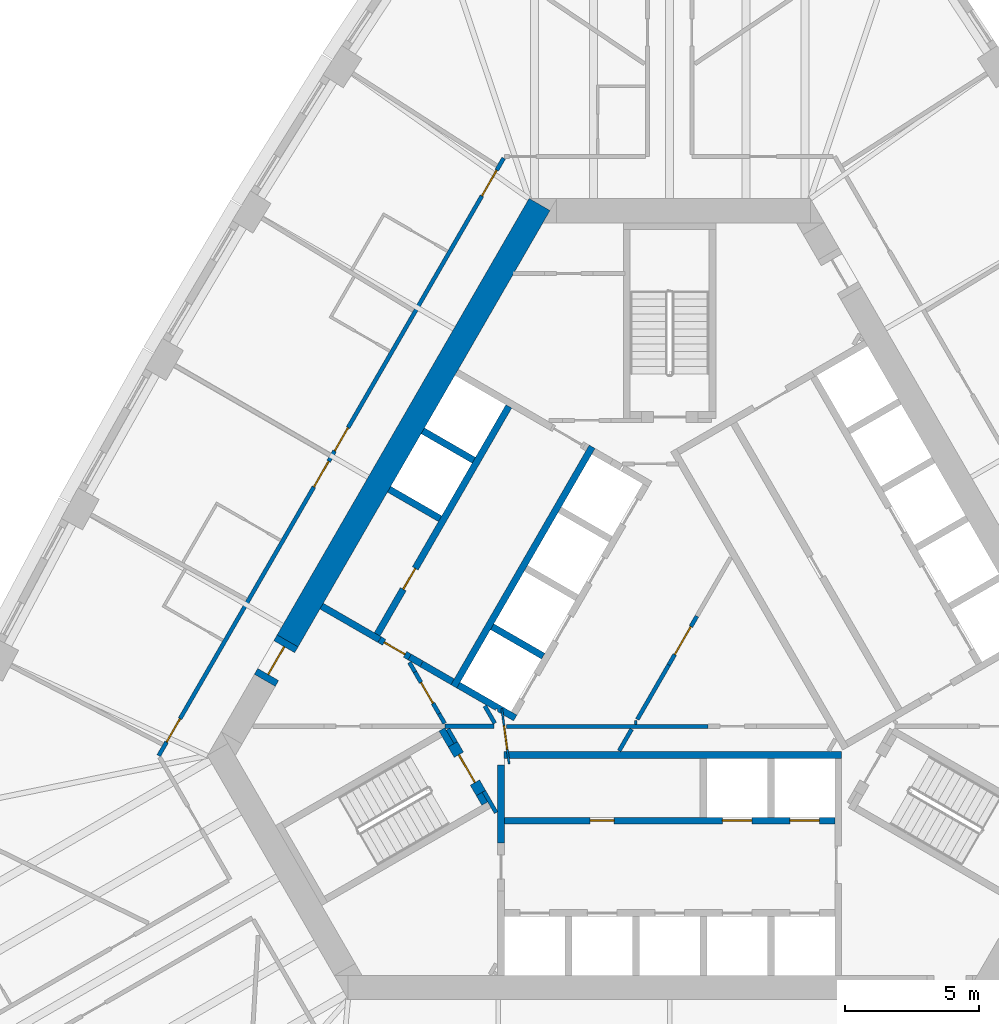
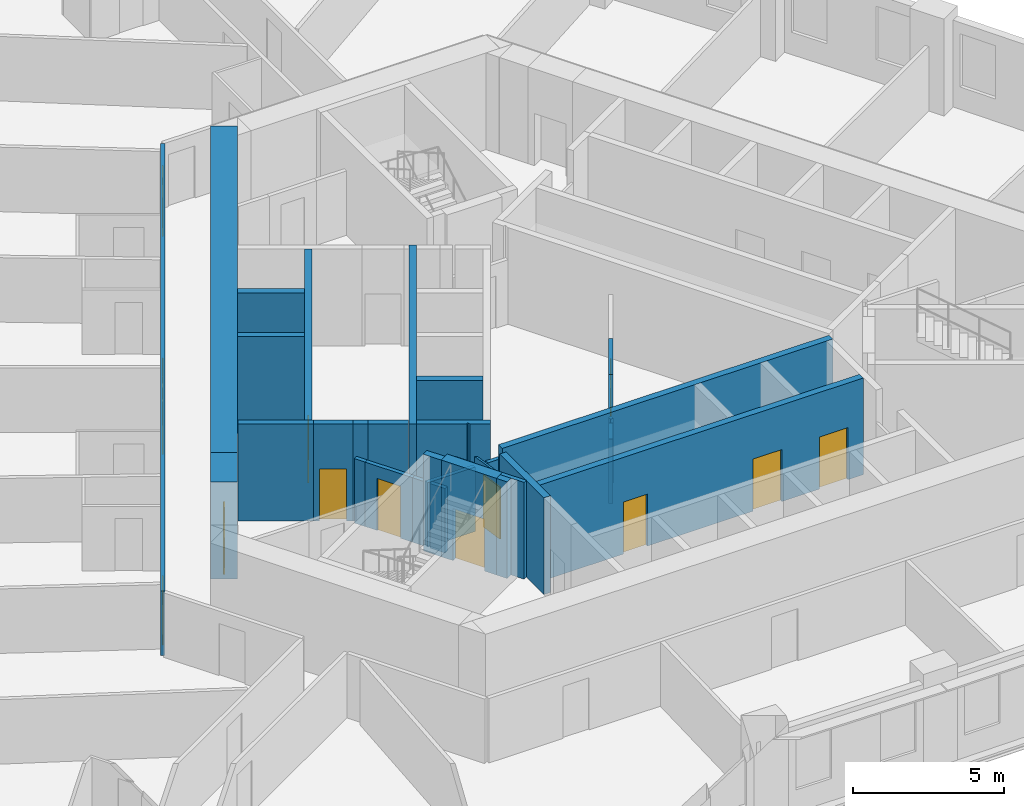
# One storey, part 5 of 12: 32 walls, 14 doors, 14 openings.
"""IFC4 building model written with IfcOpenShell, lengths in metres."""

from ifc_helpers import new_model, si_unit, direction, frame, frame_2d, origin, place, context, subcontext, project, spatial, polyline, rectangle, outline, extrude, material, layer, layer_set, type_object, element, fill, save


model = new_model("IFC4")

# Units and contexts
model_context = context("Model", 3, precision=1e-05, world=origin(), true_north=direction((0.0, 1.0)))
body_context = subcontext(model_context, "Body", "Model", "MODEL_VIEW")
ifc_project = project(units=[si_unit("LENGTHUNIT", "METRE"), si_unit("AREAUNIT", "SQUARE_METRE"), si_unit("VOLUMEUNIT", "CUBIC_METRE"), si_unit("PLANEANGLEUNIT", "RADIAN"), si_unit("MASSUNIT", "GRAM", prefix="KILO")], contexts=[model_context])

# Site, building, storey
site_placement = place(None, origin())
site = spatial("IfcSite", under=ifc_project, at=site_placement, CompositionType="ELEMENT")
building_placement = place(site_placement, origin())
building = spatial("IfcBuilding", under=site, at=building_placement, Name="Mestral Congress Tower", CompositionType="ELEMENT")
storey_placement = place(building_placement, frame((0.0, 0.0, 130.5)))
storey = spatial("IfcBuildingStorey", under=building, at=storey_placement, Name="L31", CompositionType="ELEMENT", Elevation=130.5)

# Walls
ifc_material_1 = material(Name="Fire-rated board partition")
ifc_layer_1 = layer(ifc_material_1, 0.14990234375)
ifc_layer_set_1 = layer_set([ifc_layer_1], Name="Fire-rated board partition")
wall_type_1 = type_object("IfcWallType", Name="Core partition 150", PredefinedType="PARTITIONING", material=ifc_layer_set_1)
wall_1_placement = place(storey_placement, frame((-8.394775390625, -2.800048828125, 0.0), z_axis=(0.0, 0.0, 1.0), x_axis=(1.0, 0.0, 0.0)))
element("IfcWall", 1, at=wall_1_placement, inside=storey, type_object=wall_type_1, Name="L31 core wall", PredefinedType="PARTITIONING", context=body_context, shape_type="SweptSolid", body=[
    extrude(rectangle(XDim=1.828125, YDim=0.14990234375, at=frame_2d((0.9140625, 0.0))), origin(), (0.0, 0.0, 1.0), 2.60009765625),
])
wall_2_placement = place(storey_placement, frame((-6.53076171875, -2.68896484375, 0.0), z_axis=(0.0, 0.0, 1.0), x_axis=(-0.499967446111, 0.866044197965, 0.0)))
element("IfcWall", 2, at=wall_2_placement, inside=storey, type_object=wall_type_1, Name="L31 core wall", PredefinedType="PARTITIONING", context=body_context, shape_type="SweptSolid", body=[
    extrude(rectangle(XDim=0.74755859375, YDim=0.14990234375, at=frame_2d((0.373779296875, 0.0))), origin(), (0.0, 0.0, 1.0), 2.60009765625),
])
wall_3_placement = place(storey_placement, frame((-7.989990234375, -3.41162109375, 0.0), z_axis=(0.0, 0.0, 1.0), x_axis=(-0.500193841991, 0.86591346013, 0.0)))
element("IfcWall", 3, at=wall_3_placement, inside=storey, type_object=wall_type_1, Name="L31 core wall", PredefinedType="PARTITIONING", context=body_context, shape_type="SweptSolid", body=[
    extrude(rectangle(XDim=0.582763671875, YDim=0.14990234375, at=frame_2d((0.29150390625, 0.0))), origin(), (0.0, 0.0, 1.0), 2.60009765625),
])
wall_4_placement = place(storey_placement, frame((-8.612060546875, -2.33349609375, 0.0), z_axis=(0.0, 0.0, 1.0), x_axis=(0.500248216681, -0.86588204838, 0.0)))
element("IfcWall", 4, at=wall_4_placement, inside=storey, type_object=wall_type_1, Name="L31 core wall", PredefinedType="PARTITIONING", context=body_context, shape_type="SweptSolid", body=[
    extrude(rectangle(XDim=0.415283203125, YDim=0.14990234375, at=frame_2d((0.20751953125, 0.0))), origin(), (0.0, 0.0, 1.0), 2.60009765625),
])
wall_5_placement = place(storey_placement, frame((-6.086181640625, -2.801025390625, 0.0), z_axis=(0.0, 0.0, 1.0), x_axis=(1.0, 0.0, 0.0)))
element("IfcWall", 5, at=wall_5_placement, inside=storey, type_object=wall_type_1, Name="L31 core wall", PredefinedType="PARTITIONING", context=body_context, shape_type="SweptSolid", body=[
    extrude(rectangle(XDim=7.5244140625, YDim=0.14990234375, at=frame_2d((3.76220703125, 0.0))), origin(), (0.0, 0.0, 1.0), 2.60009765625),
])
wall_6_placement = place(storey_placement, frame((-1.886962890625, -3.71826171875, 0.0), z_axis=(0.0, 0.0, 1.0), x_axis=(0.499842898591, 0.866116087328, 0.0)))
element("IfcWall", 6, at=wall_6_placement, inside=storey, type_object=wall_type_1, Name="L31 core wall", PredefinedType="PARTITIONING", context=body_context, shape_type="SweptSolid", body=[
    extrude(rectangle(XDim=0.935791015625, YDim=0.14990234375, at=frame_2d((0.4677734375, 0.0))), origin(), (0.0, 0.0, 1.0), 2.60009765625),
])
wall_7_placement = place(storey_placement, frame((-1.2119140625, -2.65087890625, 0.0), z_axis=(0.0, 0.0, 1.0), x_axis=(-1.0, 0.0, 0.0)))
element("IfcWall", 7, at=wall_7_placement, inside=storey, type_object=wall_type_1, Name="L31 core wall", PredefinedType="PARTITIONING", context=body_context, shape_type="SweptSolid", body=[
    extrude(rectangle(XDim=0.10791015625, YDim=0.14990234375, at=frame_2d((0.053955078125, 0.0))), origin(), (0.0, 0.0, 1.0), 2.60009765625),
])
wall_8_placement = place(storey_placement, frame((-1.20849609375, -2.5439453125, 0.0), z_axis=(0.0, 0.0, 1.0), x_axis=(0.499995339376, 0.86602809458, 0.0)))
element("IfcWall", 8, at=wall_8_placement, inside=storey, type_object=wall_type_1, Name="L31 core wall", PredefinedType="PARTITIONING", context=body_context, shape_type="SweptSolid", body=[
    extrude(rectangle(XDim=2.34912109375, YDim=0.14990234375, at=frame_2d((1.174560546875, 0.0))), origin(), (0.0, 0.0, 1.0), 2.60009765625),
])
wall_9_placement = place(storey_placement, frame((-9.511962890625, -0.774658203125, 0.0), z_axis=(0.0, 0.0, 1.0), x_axis=(-0.500080620599, 0.865978852456, 0.0)))
element("IfcWall", 9, at=wall_9_placement, inside=storey, type_object=wall_type_1, Name="L31 core wall", PredefinedType="PARTITIONING", context=body_context, shape_type="SweptSolid", body=[
    extrude(rectangle(XDim=0.4130859375, YDim=0.14990234375, at=frame_2d((0.20654296875, 0.0))), origin(), (0.0, 0.0, 1.0), 2.60009765625),
])

# Wall, opening, door
wall_10_placement = place(storey_placement, frame((-0.0341796875, -0.50927734375, 0.0), z_axis=(0.0, 0.0, 1.0), x_axis=(0.49994051562, 0.866059744384, 0.0)))
wall_10 = element("IfcWall", 10, at=wall_10_placement, inside=storey, type_object=wall_type_1, Name="L31 door wall", PredefinedType="PARTITIONING", context=body_context, shape_type="SweptSolid", body=[
    extrude(rectangle(XDim=2.099853515625, YDim=0.14990234375, at=frame_2d((1.0498046875, 0.0))), origin(), (0.0, 0.0, 1.0), 2.60009765625),
])
opening_1_placement = place(wall_10_placement, frame((0.449951171875, 0.0, 0.0)))
opening_1 = element("IfcOpeningElement", 11, at=opening_1_placement, cuts=wall_10, Name="Opening CD3-HUB0", PredefinedType="OPENING", context=body_context, shape_type="SweptSolid", body=[
    extrude(rectangle(XDim=1.199951171875, YDim=2.10009765625, at=frame_2d((0.60009765625, 1.050048828125))), frame((0.0, 0.0849609375, 0.0), z_axis=(0.0, -1.0, 0.0), x_axis=(1.0, 0.0, 0.0)), (0.0, 0.0, 1.0), 0.169921875),
])
ifc_material_2 = material(Name="Fire-rated steel door set", Category="steel")
door_type_1 = type_object("IfcDoorType", Name="Core door CD 1200x2100", OperationType="SINGLE_SWING_LEFT", PredefinedType="DOOR", material=ifc_material_2)
door_1_placement = place(opening_1_placement, origin())
door_1 = element("IfcDoor", 12, at=door_1_placement, inside=storey, type_object=door_type_1, Name="Door CD3-HUB0", OperationType="SINGLE_SWING_LEFT", OverallHeight=2.10009765625, OverallWidth=1.199951171875, PredefinedType="DOOR", context=body_context, shape_type="SweptSolid", body=[
    extrude(rectangle(XDim=1.199951171875, YDim=2.10009765625, at=frame_2d((0.60009765625, 1.050048828125))), frame((0.0, 0.02490234375, 0.0), z_axis=(0.0, -1.0, 0.0), x_axis=(1.0, 0.0, 0.0)), (0.0, 0.0, 1.0), 0.050048828125),
])
fill(opening_1, door_1)

wall_11_placement = place(storey_placement, frame((-8.612060546875, -2.33349609375, 0.0), z_axis=(0.0, 0.0, 1.0), x_axis=(-0.499961193289, 0.866047807691, 0.0)))
wall_11 = element("IfcWall", 13, at=wall_11_placement, inside=storey, type_object=wall_type_1, Name="L31 door wall", PredefinedType="PARTITIONING", context=body_context, shape_type="SweptSolid", body=[
    extrude(rectangle(XDim=1.800048828125, YDim=0.14990234375, at=frame_2d((0.89990234375, 0.0))), origin(), (0.0, 0.0, 1.0), 2.60009765625),
])
opening_2_placement = place(wall_11_placement, frame((0.449951171875, 0.0, 0.0)))
opening_2 = element("IfcOpeningElement", 14, at=opening_2_placement, cuts=wall_11, Name="Opening SD-HUB5", PredefinedType="OPENING", context=body_context, shape_type="SweptSolid", body=[
    extrude(rectangle(XDim=0.89990234375, YDim=2.10009765625, at=frame_2d((0.449951171875, 1.050048828125))), frame((0.0, 0.0849609375, 0.0), z_axis=(0.0, -1.0, 0.0), x_axis=(1.0, 0.0, 0.0)), (0.0, 0.0, 1.0), 0.169921875),
])
door_type_2 = type_object("IfcDoorType", Name="Core door SR 900x2100", OperationType="SINGLE_SWING_LEFT", PredefinedType="DOOR", material=ifc_material_2)
door_2_placement = place(opening_2_placement, origin())
door_2 = element("IfcDoor", 15, at=door_2_placement, inside=storey, type_object=door_type_2, Name="Door SD-HUB5", OperationType="SINGLE_SWING_LEFT", OverallHeight=2.10009765625, OverallWidth=0.89990234375, PredefinedType="DOOR", context=body_context, shape_type="SweptSolid", body=[
    extrude(rectangle(XDim=0.89990234375, YDim=2.10009765625, at=frame_2d((0.449951171875, 1.050048828125))), frame((0.0, 0.02490234375, 0.0), z_axis=(0.0, -1.0, 0.0), x_axis=(1.0, 0.0, 0.0)), (0.0, 0.0, 1.0), 0.050048828125),
])
fill(opening_2, door_2)

ifc_layer_2 = layer(ifc_material_1, 0.075927734375)
ifc_layer_set_2 = layer_set([ifc_layer_2], Name="Fire-rated board partition")
wall_type_2 = type_object("IfcWallType", Name="Core partition 150 door-wall 76", PredefinedType="PARTITIONING", material=ifc_layer_set_2)
wall_12_placement = place(storey_placement, frame((-5.99462890625, -4.213134765625, 0.0), z_axis=(0.0, 0.0, 1.0), x_axis=(-0.132072335448, 0.991240081014, 0.0)))
wall_12 = element("IfcWall", 16, at=wall_12_placement, inside=storey, type_object=wall_type_2, Name="L31 door wall", PredefinedType="PARTITIONING", context=body_context, shape_type="SweptSolid", body=[
    extrude(rectangle(XDim=2.099853515625, YDim=0.07568359375, at=frame_2d((1.0498046875, 0.0))), origin(), (0.0, 0.0, 1.0), 2.60009765625),
])
opening_3_placement = place(wall_12_placement, frame((0.550048828125, 0.0, 0.0)))
opening_3 = element("IfcOpeningElement", 17, at=opening_3_placement, cuts=wall_12, Name="Opening CD3-HUB4", PredefinedType="OPENING", context=body_context, shape_type="SweptSolid", body=[
    extrude(rectangle(XDim=0.89990234375, YDim=2.10009765625, at=frame_2d((0.449951171875, 1.050048828125))), frame((0.0, 0.0478515625, 0.0), z_axis=(0.0, -1.0, 0.0), x_axis=(1.0, 0.0, 0.0)), (0.0, 0.0, 1.0), 0.095703125),
])
door_type_3 = type_object("IfcDoorType", Name="Core door CD 900x2100", OperationType="SINGLE_SWING_LEFT", PredefinedType="DOOR", material=ifc_material_2)
door_3_placement = place(opening_3_placement, origin())
door_3 = element("IfcDoor", 18, at=door_3_placement, inside=storey, type_object=door_type_3, Name="Door CD3-HUB4", OperationType="SINGLE_SWING_LEFT", OverallHeight=2.10009765625, OverallWidth=0.89990234375, PredefinedType="DOOR", context=body_context, shape_type="SweptSolid", body=[
    extrude(rectangle(XDim=0.89990234375, YDim=2.10009765625, at=frame_2d((0.449951171875, 1.050048828125))), frame((0.0, 0.02490234375, 0.0), z_axis=(0.0, -1.0, 0.0), x_axis=(1.0, 0.0, 0.0)), (0.0, 0.0, 1.0), 0.050048828125),
])
fill(opening_3, door_3)

# Wall
ifc_material_3 = material(Name="Concrete C60/75", Category="concrete")
ifc_layer_3 = layer(ifc_material_3, 0.89990234375)
ifc_layer_set_3 = layer_set([ifc_layer_3], Name="Concrete C60/75")
wall_type_3 = type_object("IfcWallType", Name="Core wall RC 900", PredefinedType="SOLIDWALL", material=ifc_layer_set_3)
wall_13_placement = place(storey_placement, frame((-14.267822265625, 0.38720703125, 0.0), z_axis=(0.0, 0.0, 1.0), x_axis=(0.499994617707, 0.866028511231, 0.0)))
element("IfcWall", 19, at=wall_13_placement, inside=storey, type_object=wall_type_3, Name="L31 core wall", PredefinedType="SOLIDWALL", context=body_context, shape_type="SweptSolid", body=[
    extrude(rectangle(XDim=18.817138671875, YDim=0.89990234375, at=frame_2d((9.40869140625, 0.0))), origin(), (0.0, 0.0, 1.0), 3.89990234375),
])

# Wall, opening, door
wall_14_placement = place(storey_placement, frame((-15.117919921875, -1.085205078125, 0.0), z_axis=(0.0, 0.0, 1.0), x_axis=(0.500000056704, 0.866025371046, 0.0)))
wall_14 = element("IfcWall", 20, at=wall_14_placement, inside=storey, type_object=wall_type_3, Name="L31 door wall", PredefinedType="SOLIDWALL", context=body_context, shape_type="SweptSolid", body=[
    extrude(rectangle(XDim=1.7001953125, YDim=0.89990234375, at=frame_2d((0.85009765625, 0.0))), origin(), (0.0, 0.0, 1.0), 3.89990234375),
])
opening_4_placement = place(wall_14_placement, frame((0.25, 0.0, 0.0)))
opening_4 = element("IfcOpeningElement", 21, at=opening_4_placement, cuts=wall_14, Name="Opening XD3", PredefinedType="OPENING", context=body_context, shape_type="SweptSolid", body=[
    extrude(rectangle(XDim=1.199951171875, YDim=2.10009765625, at=frame_2d((0.60009765625, 1.050048828125))), frame((0.0, 0.4599609375, 0.0), z_axis=(0.0, -1.0, 0.0), x_axis=(1.0, 0.0, 0.0)), (0.0, 0.0, 1.0), 0.919921875),
])
door_type_4 = type_object("IfcDoorType", Name="Core door XD 1200x2100", OperationType="SINGLE_SWING_LEFT", PredefinedType="DOOR", material=ifc_material_2)
door_4_placement = place(opening_4_placement, origin())
door_4 = element("IfcDoor", 22, at=door_4_placement, inside=storey, type_object=door_type_4, Name="Door XD3", OperationType="SINGLE_SWING_LEFT", OverallHeight=2.10009765625, OverallWidth=1.199951171875, PredefinedType="DOOR", context=body_context, shape_type="SweptSolid", body=[
    extrude(rectangle(XDim=1.199951171875, YDim=2.10009765625, at=frame_2d((0.60009765625, 1.050048828125))), frame((0.0, 0.02490234375, 0.0), z_axis=(0.0, -1.0, 0.0), x_axis=(1.0, 0.0, 0.0)), (0.0, 0.0, 1.0), 0.050048828125),
])
fill(opening_4, door_4)

# Wall, openings, doors
ifc_material_4 = material(Name="Gypsum board partition on metal studs with mineral wool", Category="composite")
ifc_layer_4 = layer(ifc_material_4, 0.14990234375)
ifc_layer_set_4 = layer_set([ifc_layer_4], Name="Gypsum board partition on metal studs with mineral wool")
wall_type_4 = type_object("IfcWallType", Name="Hotel partition wall 150", PredefinedType="PARTITIONING", material=ifc_layer_set_4)
wall_15_placement = place(storey_placement, frame((-19.081298828125, -3.89990234375, 0.0), z_axis=(0.0, 0.0, 1.0), x_axis=(0.499998313975, 0.866026377209, 0.0)))
wall_15 = element("IfcWall", 23, at=wall_15_placement, inside=storey, type_object=wall_type_4, Name="L31-h-cw08", PredefinedType="PARTITIONING", context=body_context, shape_type="SweptSolid", body=[
    extrude(rectangle(XDim=25.76611328125, YDim=0.14990234375, at=frame_2d((12.883056640625, 0.0))), origin(), (0.0, 0.0, 1.0), 2.60009765625),
])
opening_5_placement = place(wall_15_placement, frame((24.140625, 0.0, 0.0)))
opening_5 = element("IfcOpeningElement", 24, at=opening_5_placement, cuts=wall_15, Name="Opening H10-022", PredefinedType="OPENING", context=body_context, shape_type="SweptSolid", body=[
    extrude(rectangle(XDim=1.10009765625, YDim=2.10009765625, at=frame_2d((0.550048828125, 1.050048828125))), frame((0.0, 0.0849609375, 0.0), z_axis=(0.0, -1.0, 0.0), x_axis=(1.0, 0.0, 0.0)), (0.0, 0.0, 1.0), 0.169921875),
])
opening_6_placement = place(wall_15_placement, frame((13.14404296875, 0.0, 0.0)))
opening_6 = element("IfcOpeningElement", 25, at=opening_6_placement, cuts=wall_15, Name="Opening H10-024", PredefinedType="OPENING", context=body_context, shape_type="SweptSolid", body=[
    extrude(rectangle(XDim=1.0, YDim=2.10009765625, at=frame_2d((0.5, 1.050048828125))), frame((0.0, 0.0849609375, 0.0), z_axis=(0.0, -1.0, 0.0), x_axis=(1.0, 0.0, 0.0)), (0.0, 0.0, 1.0), 0.169921875),
])
opening_7_placement = place(wall_15_placement, frame((11.592529296875, 0.0, 0.0)))
opening_7 = element("IfcOpeningElement", 26, at=opening_7_placement, cuts=wall_15, Name="Opening H10-026", PredefinedType="OPENING", context=body_context, shape_type="SweptSolid", body=[
    extrude(rectangle(XDim=1.10009765625, YDim=2.10009765625, at=frame_2d((0.550048828125, 1.050048828125))), frame((0.0, 0.0849609375, 0.0), z_axis=(0.0, -1.0, 0.0), x_axis=(1.0, 0.0, 0.0)), (0.0, 0.0, 1.0), 0.169921875),
])
opening_8_placement = place(wall_15_placement, frame((0.595703125, 0.0, 0.0)))
opening_8 = element("IfcOpeningElement", 27, at=opening_8_placement, cuts=wall_15, Name="Opening H10-028", PredefinedType="OPENING", context=body_context, shape_type="SweptSolid", body=[
    extrude(rectangle(XDim=1.0, YDim=2.10009765625, at=frame_2d((0.5, 1.050048828125))), frame((0.0, 0.0849609375, 0.0), z_axis=(0.0, -1.0, 0.0), x_axis=(1.0, 0.0, 0.0)), (0.0, 0.0, 1.0), 0.169921875),
])
ifc_material_5 = material(Name="Timber veneer door leaf in metal frame", Category="wood")
door_type_5 = type_object("IfcDoorType", Name="Accessible room entrance door 1100", OperationType="SINGLE_SWING_LEFT", PredefinedType="DOOR", material=ifc_material_5)
door_5_placement = place(opening_5_placement, origin())
door_5 = element("IfcDoor", 28, at=door_5_placement, inside=storey, type_object=door_type_5, Name="L31-h-d022", OperationType="SINGLE_SWING_RIGHT", OverallHeight=2.10009765625, OverallWidth=1.10009765625, PredefinedType="DOOR", context=body_context, shape_type="SweptSolid", body=[
    extrude(rectangle(XDim=1.10009765625, YDim=2.10009765625, at=frame_2d((0.550048828125, 1.050048828125))), frame((0.0, 0.02490234375, 0.0), z_axis=(0.0, -1.0, 0.0), x_axis=(1.0, 0.0, 0.0)), (0.0, 0.0, 1.0), 0.050048828125),
])
fill(opening_5, door_5)
door_6_placement = place(opening_7_placement, origin())
door_6 = element("IfcDoor", 29, at=door_6_placement, inside=storey, type_object=door_type_5, Name="L31-h-d026", OperationType="SINGLE_SWING_RIGHT", OverallHeight=2.10009765625, OverallWidth=1.10009765625, PredefinedType="DOOR", context=body_context, shape_type="SweptSolid", body=[
    extrude(rectangle(XDim=1.10009765625, YDim=2.10009765625, at=frame_2d((0.550048828125, 1.050048828125))), frame((0.0, 0.02490234375, 0.0), z_axis=(0.0, -1.0, 0.0), x_axis=(1.0, 0.0, 0.0)), (0.0, 0.0, 1.0), 0.050048828125),
])
fill(opening_7, door_6)
door_type_6 = type_object("IfcDoorType", Name="Guest room entrance door 1000", OperationType="SINGLE_SWING_LEFT", PredefinedType="DOOR", material=ifc_material_5)
door_7_placement = place(opening_6_placement, origin())
door_7 = element("IfcDoor", 30, at=door_7_placement, inside=storey, type_object=door_type_6, Name="L31-h-d024", OperationType="SINGLE_SWING_LEFT", OverallHeight=2.10009765625, OverallWidth=1.0, PredefinedType="DOOR", context=body_context, shape_type="SweptSolid", body=[
    extrude(rectangle(XDim=1.0, YDim=2.10009765625, at=frame_2d((0.5, 1.050048828125))), frame((0.0, 0.02490234375, 0.0), z_axis=(0.0, -1.0, 0.0), x_axis=(1.0, 0.0, 0.0)), (0.0, 0.0, 1.0), 0.050048828125),
])
fill(opening_6, door_7)
door_8_placement = place(opening_8_placement, origin())
door_8 = element("IfcDoor", 31, at=door_8_placement, inside=storey, type_object=door_type_6, Name="L31-h-d028", OperationType="SINGLE_SWING_LEFT", OverallHeight=2.10009765625, OverallWidth=1.0, PredefinedType="DOOR", context=body_context, shape_type="SweptSolid", body=[
    extrude(rectangle(XDim=1.0, YDim=2.10009765625, at=frame_2d((0.5, 1.050048828125))), frame((0.0, 0.02490234375, 0.0), z_axis=(0.0, -1.0, 0.0), x_axis=(1.0, 0.0, 0.0)), (0.0, 0.0, 1.0), 0.050048828125),
])
fill(opening_8, door_8)

# Walls
ifc_layer_5 = layer(ifc_material_3, 0.25)
ifc_layer_set_5 = layer_set([ifc_layer_5], Name="Concrete C60/75")
wall_type_5 = type_object("IfcWallType", Name="Shaft wall RC 250", PredefinedType="SOLIDWALL", material=ifc_layer_set_5)
wall_16_placement = place(storey_placement, frame((-6.300048828125, -4.239990234375, 0.0), z_axis=(0.0, 0.0, 1.0), x_axis=(0.0, -1.0, 0.0)))
element("IfcWall", 32, at=wall_16_placement, inside=storey, type_object=wall_type_5, Name="L31 core wall", PredefinedType="SOLIDWALL", context=body_context, shape_type="SweptSolid", body=[
    extrude(rectangle(XDim=2.914306640625, YDim=0.25, at=frame_2d((1.45703125, 0.0))), origin(), (0.0, 0.0, 1.0), 3.89990234375),
])
wall_17_placement = place(storey_placement, frame((-6.189697265625, -3.875, 0.0), z_axis=(0.0, 0.0, 1.0), x_axis=(1.0, 0.0, 0.0)))
element("IfcWall", 33, at=wall_17_placement, inside=storey, type_object=wall_type_5, Name="L31 core wall", PredefinedType="SOLIDWALL", context=body_context, shape_type="SweptSolid", body=[
    extrude(rectangle(XDim=12.61474609375, YDim=0.25, at=frame_2d((6.307373046875, 0.0))), origin(), (0.0, 0.0, 1.0), 3.89990234375),
])
wall_18_placement = place(storey_placement, frame((-8.06005859375, -1.310546875, 0.0), z_axis=(0.0, 0.0, 1.0), x_axis=(0.50000273126, 0.866023826885, 0.0)))
element("IfcWall", 34, at=wall_18_placement, inside=storey, type_object=wall_type_5, Name="L31 core wall", PredefinedType="SOLIDWALL", context=body_context, shape_type="SweptSolid", body=[
    extrude(rectangle(XDim=10.330078125, YDim=0.25, at=frame_2d((5.1650390625, 0.0))), origin(), (0.0, 0.0, 1.0), 3.89990234375),
])
wall_19_placement = place(storey_placement, frame((-4.72412109375, -0.182373046875, 0.0), z_axis=(0.0, 0.0, 1.0), x_axis=(-0.866008176907, 0.50002983664, 0.0)))
element("IfcWall", 35, at=wall_19_placement, inside=storey, type_object=wall_type_5, Name="L31 core wall", PredefinedType="SOLIDWALL", context=body_context, shape_type="SweptSolid", body=[
    extrude(rectangle(XDim=2.199951171875, YDim=0.25, at=frame_2d((1.10009765625, 0.0))), origin(), (0.0, 0.0, 1.0), 3.89990234375),
])
wall_20_placement = place(storey_placement, origin())
element("IfcWall", 36, at=wall_20_placement, inside=storey, type_object=wall_type_5, Name="L31 core wall", PredefinedType="SOLIDWALL", context=body_context, shape_type="SweptSolid", body=[
    extrude(outline(polyline([(-5.921630859375, -2.256591796875), (-5.921630859375, -2.256591796875), (-5.705078125, -2.381591796875), (-5.830078125, -2.597900390625), (-6.41845703125, -2.25830078125), (-6.4326171875, -2.153076171875), (-6.4326171875, -2.15283203125), (-6.4326171875, -2.15283203125), (-6.5078125, -2.162841796875), (-6.5078125, -2.162841796875), (-6.5078125, -2.1630859375), (-6.50146484375, -2.21044921875), (-7.951904296875, -1.373046875), (-7.826904296875, -1.156494140625), (-5.921630859375, -2.256591796875)])), origin(), (0.0, 0.0, 1.0), 3.89990234375),
])
wall_21_placement = place(storey_placement, frame((-9.7080078125, -0.21484375, 0.0), z_axis=(0.0, 0.0, 1.0), x_axis=(0.866113839764, -0.499846793097, 0.0)))
element("IfcWall", 37, at=wall_21_placement, inside=storey, type_object=wall_type_5, Name="L31 core wall", PredefinedType="SOLIDWALL", context=body_context, shape_type="SweptSolid", body=[
    extrude(rectangle(XDim=0.510009765625, YDim=0.25, at=frame_2d((0.2548828125, 0.0))), origin(), (0.0, 0.0, 1.0), 3.89990234375),
])
wall_22_placement = place(storey_placement, frame((-12.998779296875, 1.685302734375, 0.0), z_axis=(0.0, 0.0, 1.0), x_axis=(0.865996765544, -0.500049599607, 0.0)))
element("IfcWall", 38, at=wall_22_placement, inside=storey, type_object=wall_type_5, Name="L31 core wall", PredefinedType="SOLIDWALL", context=body_context, shape_type="SweptSolid", body=[
    extrude(rectangle(XDim=2.497802734375, YDim=0.25, at=frame_2d((1.2490234375, 0.0))), origin(), (0.0, 0.0, 1.0), 3.89990234375),
])
wall_23_placement = place(storey_placement, frame((-9.2646484375, -0.470703125, 0.0), z_axis=(0.0, 0.0, 1.0), x_axis=(0.865954634268, -0.500122556369, 0.0)))
element("IfcWall", 39, at=wall_23_placement, inside=storey, type_object=wall_type_5, Name="L31 core wall", PredefinedType="SOLIDWALL", context=body_context, shape_type="SweptSolid", body=[
    extrude(rectangle(XDim=1.338134765625, YDim=0.25, at=frame_2d((0.6689453125, 0.0))), origin(), (0.0, 0.0, 1.0), 3.89990234375),
])
for number, where, z_axis, x_axis, name in (
    (40, (-8.57373046875, 4.949951171875, 0.0), (0.0, 0.0, 1.0), (-0.866008176907, 0.50002983664, 0.0), "L31 core wall"),
    (41, (-7.313720703125, 7.13232421875, 0.0), (0.0, 0.0, 1.0), (-0.866008176907, 0.50002983664, 0.0), "L31 core wall"),
):
    element("IfcWall", number, at=place(storey_placement, frame(where, z_axis=z_axis, x_axis=x_axis)), inside=storey, type_object=wall_type_5, Name=name, PredefinedType="SOLIDWALL", context=body_context, shape_type="SweptSolid", body=[
        extrude(rectangle(XDim=2.199951171875, YDim=0.25, at=frame_2d((1.10009765625, 0.0))), origin(), (0.0, 0.0, 1.0), 3.89990234375),
    ])

# Wall, openings, doors
wall_24_placement = place(storey_placement, frame((-6.175048828125, -6.324951171875, 0.0), z_axis=(0.0, 0.0, 1.0), x_axis=(1.0, 0.0, 0.0)))
wall_24 = element("IfcWall", 42, at=wall_24_placement, inside=storey, type_object=wall_type_5, Name="L31 door wall", PredefinedType="SOLIDWALL", context=body_context, shape_type="SweptSolid", body=[
    extrude(rectangle(XDim=12.35009765625, YDim=0.25, at=frame_2d((6.175048828125, 0.0))), origin(), (0.0, 0.0, 1.0), 3.89990234375),
])
opening_9_placement = place(wall_24_placement, frame((3.205078125, 0.0, 0.0)))
opening_9 = element("IfcOpeningElement", 43, at=opening_9_placement, cuts=wall_24, Name="Opening SR-SOB1", PredefinedType="OPENING", context=body_context, shape_type="SweptSolid", body=[
    extrude(rectangle(XDim=0.89990234375, YDim=2.10009765625, at=frame_2d((0.449951171875, 1.050048828125))), frame((0.0, 0.135009765625, 0.0), z_axis=(0.0, -1.0, 0.0), x_axis=(1.0, 0.0, 0.0)), (0.0, 0.0, 1.0), 0.27001953125),
])
opening_10_placement = place(wall_24_placement, frame((8.14501953125, 0.0, 0.0)))
opening_10 = element("IfcOpeningElement", 44, at=opening_10_placement, cuts=wall_24, Name="Opening LD-SOB4", PredefinedType="OPENING", context=body_context, shape_type="SweptSolid", body=[
    extrude(rectangle(XDim=1.10009765625, YDim=2.10009765625, at=frame_2d((0.550048828125, 1.050048828125))), frame((0.0, 0.135009765625, 0.0), z_axis=(0.0, -1.0, 0.0), x_axis=(1.0, 0.0, 0.0)), (0.0, 0.0, 1.0), 0.27001953125),
])
opening_11_placement = place(wall_24_placement, frame((10.6650390625, 0.0, 0.0)))
opening_11 = element("IfcOpeningElement", 45, at=opening_11_placement, cuts=wall_24, Name="Opening LD-SOB5", PredefinedType="OPENING", context=body_context, shape_type="SweptSolid", body=[
    extrude(rectangle(XDim=1.10009765625, YDim=2.10009765625, at=frame_2d((0.550048828125, 1.050048828125))), frame((0.0, 0.135009765625, 0.0), z_axis=(0.0, -1.0, 0.0), x_axis=(1.0, 0.0, 0.0)), (0.0, 0.0, 1.0), 0.27001953125),
])
door_type_7 = type_object("IfcDoorType", Name="Core door LD 1100x2100", OperationType="DOUBLE_DOOR_SLIDING", PredefinedType="DOOR", material=ifc_material_2)
door_9_placement = place(opening_10_placement, origin())
door_9 = element("IfcDoor", 46, at=door_9_placement, inside=storey, type_object=door_type_7, Name="Door LD-SOB4", OperationType="DOUBLE_DOOR_SLIDING", OverallHeight=2.10009765625, OverallWidth=1.10009765625, PredefinedType="DOOR", context=body_context, shape_type="SweptSolid", body=[
    extrude(rectangle(XDim=1.10009765625, YDim=2.10009765625, at=frame_2d((0.550048828125, 1.050048828125))), frame((0.0, 0.02490234375, 0.0), z_axis=(0.0, -1.0, 0.0), x_axis=(1.0, 0.0, 0.0)), (0.0, 0.0, 1.0), 0.050048828125),
])
fill(opening_10, door_9)
door_10_placement = place(opening_11_placement, origin())
door_10 = element("IfcDoor", 47, at=door_10_placement, inside=storey, type_object=door_type_7, Name="Door LD-SOB5", OperationType="DOUBLE_DOOR_SLIDING", OverallHeight=2.10009765625, OverallWidth=1.10009765625, PredefinedType="DOOR", context=body_context, shape_type="SweptSolid", body=[
    extrude(rectangle(XDim=1.10009765625, YDim=2.10009765625, at=frame_2d((0.550048828125, 1.050048828125))), frame((0.0, 0.02490234375, 0.0), z_axis=(0.0, -1.0, 0.0), x_axis=(1.0, 0.0, 0.0)), (0.0, 0.0, 1.0), 0.050048828125),
])
fill(opening_11, door_10)
door_11_placement = place(opening_9_placement, origin())
door_11 = element("IfcDoor", 48, at=door_11_placement, inside=storey, type_object=door_type_2, Name="Door SR-SOB1", OperationType="SINGLE_SWING_LEFT", OverallHeight=2.10009765625, OverallWidth=0.89990234375, PredefinedType="DOOR", context=body_context, shape_type="SweptSolid", body=[
    extrude(rectangle(XDim=0.89990234375, YDim=2.10009765625, at=frame_2d((0.449951171875, 1.050048828125))), frame((0.0, 0.02490234375, 0.0), z_axis=(0.0, -1.0, 0.0), x_axis=(1.0, 0.0, 0.0)), (0.0, 0.0, 1.0), 0.050048828125),
])
fill(opening_9, door_11)

# Wall, opening, door
wall_25_placement = place(storey_placement, frame((-6.0078125, 9.14404296875, 0.0), z_axis=(0.0, 0.0, 1.0), x_axis=(-0.500006956611, -0.866021387346, 0.0)))
wall_25 = element("IfcWall", 49, at=wall_25_placement, inside=storey, type_object=wall_type_5, Name="L31 door wall", PredefinedType="SOLIDWALL", context=body_context, shape_type="SweptSolid", body=[
    extrude(rectangle(XDim=9.829833984375, YDim=0.25, at=frame_2d((4.9150390625, 0.0))), origin(), (0.0, 0.0, 1.0), 3.89990234375),
])
opening_12_placement = place(wall_25_placement, frame((6.985107421875, 0.0, 0.0)))
opening_12 = element("IfcOpeningElement", 50, at=opening_12_placement, cuts=wall_25, Name="Opening SR-NWA2", PredefinedType="OPENING", context=body_context, shape_type="SweptSolid", body=[
    extrude(rectangle(XDim=0.89990234375, YDim=2.10009765625, at=frame_2d((0.449951171875, 1.050048828125))), frame((0.0, 0.135009765625, 0.0), z_axis=(0.0, -1.0, 0.0), x_axis=(1.0, 0.0, 0.0)), (0.0, 0.0, 1.0), 0.27001953125),
])
door_12_placement = place(opening_12_placement, origin())
door_12 = element("IfcDoor", 51, at=door_12_placement, inside=storey, type_object=door_type_2, Name="Door SR-NWA2", OperationType="SINGLE_SWING_LEFT", OverallHeight=2.10009765625, OverallWidth=0.89990234375, PredefinedType="DOOR", context=body_context, shape_type="SweptSolid", body=[
    extrude(rectangle(XDim=0.89990234375, YDim=2.10009765625, at=frame_2d((0.449951171875, 1.050048828125))), frame((0.0, 0.02490234375, 0.0), z_axis=(0.0, -1.0, 0.0), x_axis=(1.0, 0.0, 0.0)), (0.0, 0.0, 1.0), 0.050048828125),
])
fill(opening_12, door_12)

wall_26_placement = place(storey_placement, frame((-9.7080078125, -0.215087890625, 0.0), z_axis=(0.0, 0.0, 1.0), x_axis=(-0.866004217611, 0.500036693733, 0.0)))
wall_26 = element("IfcWall", 52, at=wall_26_placement, inside=storey, type_object=wall_type_5, Name="L31 door wall", PredefinedType="SOLIDWALL", context=body_context, shape_type="SweptSolid", body=[
    extrude(rectangle(XDim=1.30029296875, YDim=0.25, at=frame_2d((0.650146484375, 0.0))), origin(), (0.0, 0.0, 1.0), 3.89990234375),
])
opening_13_placement = place(wall_26_placement, frame((0.199951171875, 0.0, 0.0)))
opening_13 = element("IfcOpeningElement", 53, at=opening_13_placement, cuts=wall_26, Name="Opening PD3", PredefinedType="OPENING", context=body_context, shape_type="SweptSolid", body=[
    extrude(rectangle(XDim=0.89990234375, YDim=2.10009765625, at=frame_2d((0.449951171875, 1.050048828125))), frame((0.0, 0.135009765625, 0.0), z_axis=(0.0, -1.0, 0.0), x_axis=(1.0, 0.0, 0.0)), (0.0, 0.0, 1.0), 0.27001953125),
])
door_type_8 = type_object("IfcDoorType", Name="Core door PD 900x2100", OperationType="SINGLE_SWING_LEFT", PredefinedType="DOOR", material=ifc_material_2)
door_13_placement = place(opening_13_placement, origin())
door_13 = element("IfcDoor", 54, at=door_13_placement, inside=storey, type_object=door_type_8, Name="Door PD3", OperationType="SINGLE_SWING_LEFT", OverallHeight=2.10009765625, OverallWidth=0.89990234375, PredefinedType="DOOR", context=body_context, shape_type="SweptSolid", body=[
    extrude(rectangle(XDim=0.89990234375, YDim=2.10009765625, at=frame_2d((0.449951171875, 1.050048828125))), frame((0.0, 0.02490234375, 0.0), z_axis=(0.0, -1.0, 0.0), x_axis=(1.0, 0.0, 0.0)), (0.0, 0.0, 1.0), 0.050048828125),
])
fill(opening_13, door_13)

# Walls
ifc_layer_6 = layer(ifc_material_3, 0.14990234375)
ifc_layer_set_6 = layer_set([ifc_layer_6], Name="Concrete C60/75")
wall_type_6 = type_object("IfcWallType", Name="Shaft wall RC 250 door-wall 150", PredefinedType="SOLIDWALL", material=ifc_layer_set_6)
wall_27_placement = place(storey_placement, frame((-6.48046875, -6.026611328125, 0.0), z_axis=(0.0, 0.0, 1.0), x_axis=(-0.499936960004, 0.866061796884, 0.0)))
element("IfcWall", 55, at=wall_27_placement, inside=storey, type_object=wall_type_6, Name="L31 core wall", PredefinedType="PARTITIONING", context=body_context, shape_type="SweptSolid", body=[
    extrude(rectangle(XDim=0.91943359375, YDim=0.14990234375, at=frame_2d((0.459716796875, 0.0))), origin(), (0.0, 0.0, 1.0), 3.89990234375),
])
ifc_layer_7 = layer(ifc_material_3, 0.25)
ifc_layer_set_7 = layer_set([ifc_layer_7], Name="Concrete C60/75")
wall_type_7 = type_object("IfcWallType", Name="Stair wall RC 250", PredefinedType="SOLIDWALL", material=ifc_layer_set_7)
wall_28_placement = place(storey_placement, frame((-8.162841796875, -3.51123046875, 0.0), z_axis=(0.0, 0.0, 1.0), x_axis=(-0.500206266495, 0.865906283012, 0.0)))
element("IfcWall", 56, at=wall_28_placement, inside=storey, type_object=wall_type_7, Name="L31 core wall", PredefinedType="SOLIDWALL", context=body_context, shape_type="SweptSolid", body=[
    extrude(rectangle(XDim=0.684326171875, YDim=0.25, at=frame_2d((0.34228515625, 0.0))), origin(), (0.0, 0.0, 1.0), 3.89990234375),
])
wall_29_placement = place(storey_placement, frame((-6.905029296875, -5.68994140625, 0.0), z_axis=(0.0, 0.0, 1.0), x_axis=(-0.499993700073, 0.866029041019, 0.0)))
element("IfcWall", 57, at=wall_29_placement, inside=storey, type_object=wall_type_7, Name="L31 core wall", PredefinedType="SOLIDWALL", context=body_context, shape_type="SweptSolid", body=[
    extrude(rectangle(XDim=0.41552734375, YDim=0.25, at=frame_2d((0.207763671875, 0.0))), origin(), (0.0, 0.0, 1.0), 3.89990234375),
])

# Wall, opening, door
ifc_layer_8 = layer(ifc_material_3, 0.39990234375)
ifc_layer_set_8 = layer_set([ifc_layer_8], Name="Concrete C60/75")
wall_type_8 = type_object("IfcWallType", Name="Stair wall RC 250 door-wall 400", PredefinedType="SOLIDWALL", material=ifc_layer_set_8)
wall_30_placement = place(storey_placement, frame((-8.097900390625, -3.473876953125, 0.0), z_axis=(0.0, 0.0, 1.0), x_axis=(0.49994051562, -0.866059744384, 0.0)))
wall_30 = element("IfcWall", 58, at=wall_30_placement, inside=storey, type_object=wall_type_8, Name="L31 door wall", PredefinedType="SOLIDWALL", context=body_context, shape_type="SweptSolid", body=[
    extrude(rectangle(XDim=2.099853515625, YDim=0.39990234375, at=frame_2d((1.0498046875, 0.0))), origin(), (0.0, 0.0, 1.0), 3.89990234375),
])
opening_14_placement = place(wall_30_placement, frame((0.449951171875, 0.0, 0.0)))
opening_14 = element("IfcOpeningElement", 59, at=opening_14_placement, cuts=wall_30, Name="Opening ST-D3", PredefinedType="OPENING", context=body_context, shape_type="SweptSolid", body=[
    extrude(rectangle(XDim=1.199951171875, YDim=2.10009765625, at=frame_2d((0.60009765625, 1.050048828125))), frame((0.0, 0.2099609375, 0.0), z_axis=(0.0, -1.0, 0.0), x_axis=(1.0, 0.0, 0.0)), (0.0, 0.0, 1.0), 0.419921875),
])
door_type_9 = type_object("IfcDoorType", Name="Core door ST 1200x2100", OperationType="SINGLE_SWING_LEFT", PredefinedType="DOOR", material=ifc_material_2)
door_14_placement = place(opening_14_placement, origin())
door_14 = element("IfcDoor", 60, at=door_14_placement, inside=storey, type_object=door_type_9, Name="Door ST-D3", OperationType="SINGLE_SWING_LEFT", OverallHeight=2.10009765625, OverallWidth=1.199951171875, PredefinedType="DOOR", context=body_context, shape_type="SweptSolid", body=[
    extrude(rectangle(XDim=1.199951171875, YDim=2.10009765625, at=frame_2d((0.60009765625, 1.050048828125))), frame((0.0, 0.02490234375, 0.0), z_axis=(0.0, -1.0, 0.0), x_axis=(1.0, 0.0, 0.0)), (0.0, 0.0, 1.0), 0.050048828125),
])
fill(opening_14, door_14)

save(model, "model.ifc")
